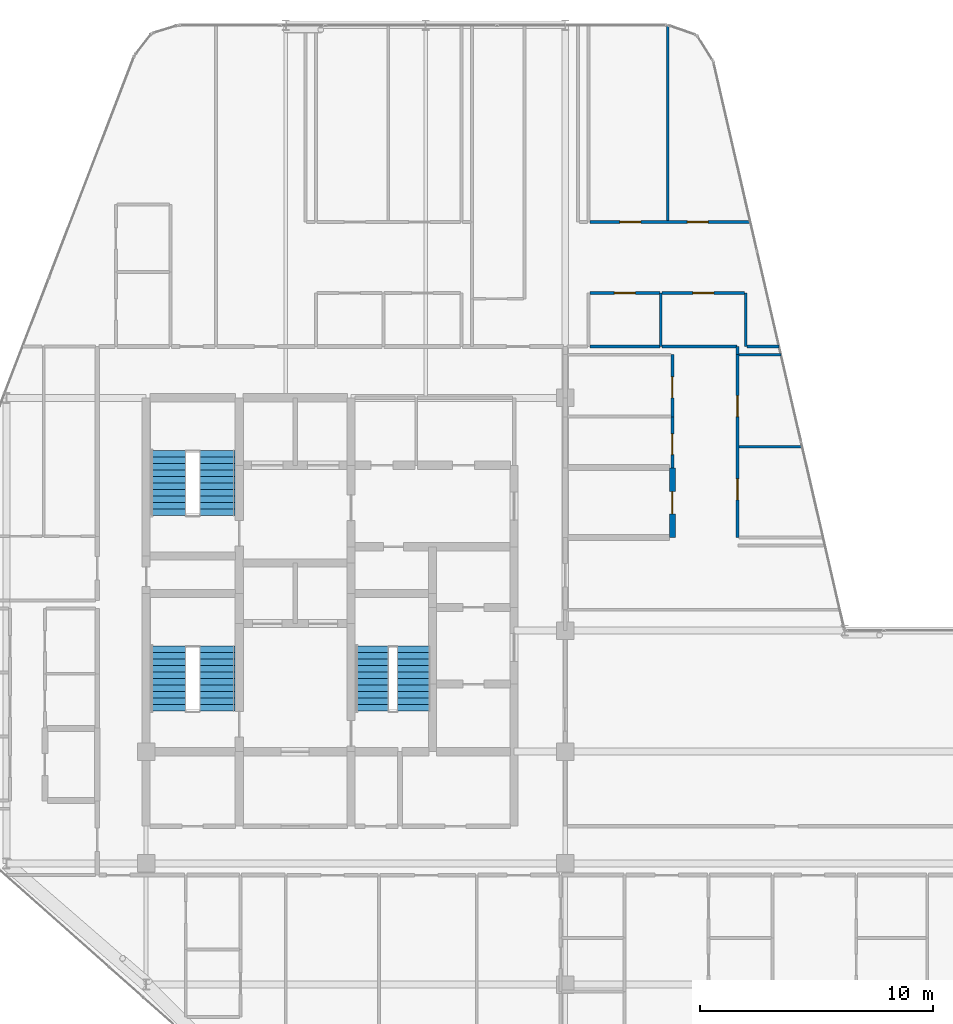
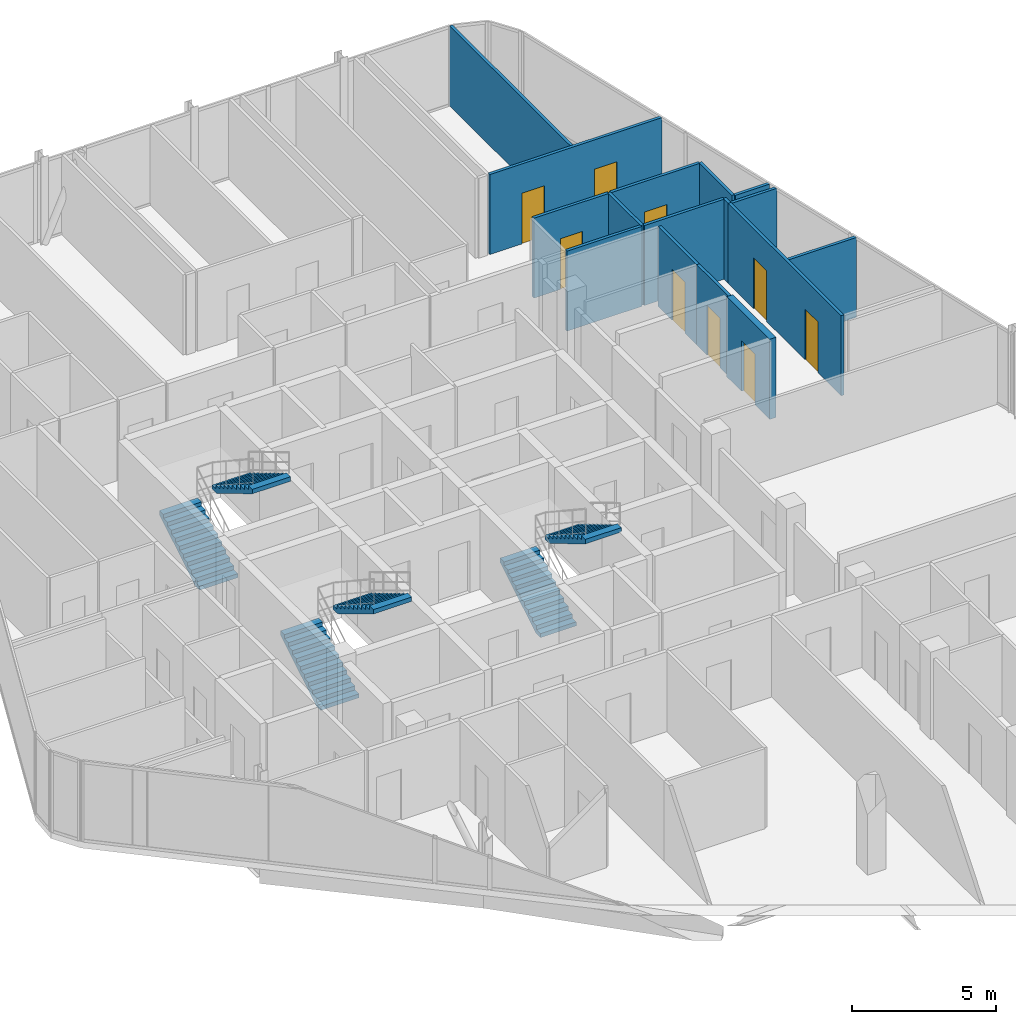
# One storey, part 28 of 29: 16 walls, 9 doors, 6 stair flights, 9 openings, 3 elements without a shape of their own.
"""IFC4 building model written with IfcOpenShell, lengths in metres."""

from ifc_helpers import new_model, si_unit, direction, frame, frame_2d, origin, place, context, subcontext, project, spatial, polyline, rectangle, outline, extrude, material, layer, layer_set, type_object, element, fill, aggregate, save


model = new_model("IFC4")

# Units and contexts
model_context = context("Model", 3, precision=1e-05, world=origin(), true_north=direction((0.0, 1.0)))
body_context = subcontext(model_context, "Body", "Model", "MODEL_VIEW")
ifc_project = project(units=[si_unit("LENGTHUNIT", "METRE"), si_unit("AREAUNIT", "SQUARE_METRE"), si_unit("VOLUMEUNIT", "CUBIC_METRE"), si_unit("PLANEANGLEUNIT", "RADIAN"), si_unit("MASSUNIT", "GRAM", prefix="KILO")], contexts=[model_context])

# Site, building, storey
site_placement = place(None, origin())
site = spatial("IfcSite", under=ifc_project, at=site_placement, CompositionType="ELEMENT")
building_placement = place(site_placement, origin())
building = spatial("IfcBuilding", under=site, at=building_placement, Name="Keshet Zoharim Tower", CompositionType="ELEMENT")
storey_placement = place(building_placement, frame((0.0, 0.0, 222.800048828125)))
storey = spatial("IfcBuildingStorey", under=building, at=storey_placement, Name="L55", CompositionType="ELEMENT", Elevation=222.800048828125)

# Wall, opening, door
ifc_material_1 = material(Name="Concrete C50/60", Category="concrete")
ifc_layer_1 = layer(ifc_material_1, 0.25)
ifc_layer_set_1 = layer_set([ifc_layer_1], Name="Concrete C50/60")
wall_type_1 = type_object("IfcWallType", Name="WL-MAMAD-250", PredefinedType="STANDARD", material=ifc_layer_set_1)
wall_1_placement = place(storey_placement, frame((37.60009765625, 31.89990234375, 0.0), z_axis=(0.0, 0.0, 1.0), x_axis=(0.0, 1.0, 0.0)))
wall_1 = element("IfcWall", 1, at=wall_1_placement, inside=storey, type_object=wall_type_1, Name="L55 Interior Wall 083", PredefinedType="STANDARD", context=body_context, shape_type="SweptSolid", body=[
    extrude(rectangle(XDim=2.983154296875, YDim=0.25, at=frame_2d((1.49169921875, 0.0))), origin(), (0.0, 0.0, 1.0), 3.389892578125),
])
opening_1_placement = place(wall_1_placement, frame((1.01708984375, 0.0, 0.0)))
opening_1 = element("IfcOpeningElement", 2, at=opening_1_placement, cuts=wall_1, Name="Opening D-F695", PredefinedType="OPENING", context=body_context, shape_type="SweptSolid", body=[
    extrude(rectangle(XDim=0.949951171875, YDim=2.14990234375, at=frame_2d((0.47509765625, 1.074951171875))), frame((0.0, 0.135009765625, 0.0), z_axis=(0.0, -1.0, 0.0), x_axis=(1.0, 0.0, 0.0)), (0.0, 0.0, 1.0), 0.27001953125),
])
ifc_material_2 = material(Name="Hardwood Timber", Category="wood")
door_type_1 = type_object("IfcDoorType", Name="DR-FD60-095", OperationType="NOTDEFINED", PredefinedType="DOOR", material=ifc_material_2)
door_1_placement = place(opening_1_placement, origin())
door_1 = element("IfcDoor", 3, at=door_1_placement, inside=storey, type_object=door_type_1, Name="Apartment 5511 Study and Shelter Room Door", OperationType="SINGLE_SWING_LEFT", OverallHeight=2.14990234375, OverallWidth=0.949951171875, PredefinedType="DOOR", context=body_context, shape_type="SweptSolid", body=[
    extrude(rectangle(XDim=0.949951171875, YDim=2.14990234375, at=frame_2d((0.47509765625, 1.074951171875))), frame((0.0, 0.02490234375, 0.0), z_axis=(0.0, -1.0, 0.0), x_axis=(1.0, 0.0, 0.0)), (0.0, 0.0, 1.0), 0.050048828125),
])
fill(opening_1, door_1)

# Wall
ifc_material_3 = material(Name="Gypsum Plasterboard", Category="gypsum")
ifc_layer_2 = layer(ifc_material_3, 0.1201171875)
ifc_layer_set_2 = layer_set([ifc_layer_2], Name="Gypsum Plasterboard")
wall_type_2 = type_object("IfcWallType", Name="WL-PART-120", PredefinedType="PARTITIONING", material=ifc_layer_set_2)
wall_2_placement = place(storey_placement, frame((37.39990234375, 45.449951171875, 0.0), z_axis=(0.0, 0.0, 1.0), x_axis=(0.0, 1.0, 0.0)))
element("IfcWall", 4, at=wall_2_placement, inside=storey, type_object=wall_type_2, Name="L55 Interior Wall 082", PredefinedType="PARTITIONING", context=body_context, shape_type="SweptSolid", body=[
    extrude(rectangle(XDim=8.43994140625, YDim=0.1201171875, at=frame_2d((4.219970703125, 0.0))), origin(), (0.0, 0.0, 1.0), 3.389892578125),
])

# Wall, opening, door
wall_3_placement = place(storey_placement, frame((37.60009765625, 37.0810546875, 0.0), z_axis=(0.0, 0.0, 1.0), x_axis=(0.0, 1.0, 0.0)))
wall_3 = element("IfcWall", 5, at=wall_3_placement, inside=storey, type_object=wall_type_2, Name="L55 Interior Wall 085", PredefinedType="PARTITIONING", context=body_context, shape_type="SweptSolid", body=[
    extrude(rectangle(XDim=2.6689453125, YDim=0.1201171875, at=frame_2d((1.33447265625, 0.0))), origin(), (0.0, 0.0, 1.0), 3.389892578125),
])
opening_2_placement = place(wall_3_placement, frame((0.81396484375, 0.0, 0.0)))
opening_2 = element("IfcOpeningElement", 6, at=opening_2_placement, cuts=wall_3, Name="Opening D-IN90", PredefinedType="OPENING", context=body_context, shape_type="SweptSolid", body=[
    extrude(rectangle(XDim=0.89990234375, YDim=2.14990234375, at=frame_2d((0.449951171875, 1.074951171875))), frame((0.0, 0.070068359375, 0.0), z_axis=(0.0, -1.0, 0.0), x_axis=(1.0, 0.0, 0.0)), (0.0, 0.0, 1.0), 0.14013671875),
])
door_type_2 = type_object("IfcDoorType", Name="DR-INT-090", OperationType="NOTDEFINED", PredefinedType="DOOR", material=ifc_material_2)
door_2_placement = place(opening_2_placement, origin())
door_2 = element("IfcDoor", 7, at=door_2_placement, inside=storey, type_object=door_type_2, Name="Apartment 5511 Kitchen Door", OperationType="SINGLE_SWING_LEFT", OverallHeight=2.14990234375, OverallWidth=0.89990234375, PredefinedType="DOOR", context=body_context, shape_type="SweptSolid", body=[
    extrude(rectangle(XDim=0.89990234375, YDim=2.14990234375, at=frame_2d((0.449951171875, 1.074951171875))), frame((0.0, 0.02490234375, 0.0), z_axis=(0.0, -1.0, 0.0), x_axis=(1.0, 0.0, 0.0)), (0.0, 0.0, 1.0), 0.050048828125),
])
fill(opening_2, door_2)

# Wall, openings, doors
wall_4_placement = place(storey_placement, frame((40.39990234375, 31.89990234375, 0.0), z_axis=(0.0, 0.0, 1.0), x_axis=(0.0, 1.0, 0.0)))
wall_4 = element("IfcWall", 8, at=wall_4_placement, inside=storey, type_object=wall_type_2, Name="L55 Interior Wall 089", PredefinedType="PARTITIONING", context=body_context, shape_type="SweptSolid", body=[
    extrude(rectangle(XDim=7.85009765625, YDim=0.1201171875, at=frame_2d((3.925048828125, 0.0))), origin(), (0.0, 0.0, 1.0), 3.389892578125),
])
opening_3_placement = place(wall_4_placement, frame((1.614990234375, 0.0, 0.0)))
opening_3 = element("IfcOpeningElement", 9, at=opening_3_placement, cuts=wall_4, Name="Opening D-IN90", PredefinedType="OPENING", context=body_context, shape_type="SweptSolid", body=[
    extrude(rectangle(XDim=0.89990234375, YDim=2.14990234375, at=frame_2d((0.449951171875, 1.074951171875))), frame((0.0, 0.070068359375, 0.0), z_axis=(0.0, -1.0, 0.0), x_axis=(1.0, 0.0, 0.0)), (0.0, 0.0, 1.0), 0.14013671875),
])
opening_4_placement = place(wall_4_placement, frame((5.18994140625, 0.0, 0.0)))
opening_4 = element("IfcOpeningElement", 10, at=opening_4_placement, cuts=wall_4, Name="Opening D-IN90", PredefinedType="OPENING", context=body_context, shape_type="SweptSolid", body=[
    extrude(rectangle(XDim=0.89990234375, YDim=2.14990234375, at=frame_2d((0.449951171875, 1.074951171875))), frame((0.0, 0.070068359375, 0.0), z_axis=(0.0, -1.0, 0.0), x_axis=(1.0, 0.0, 0.0)), (0.0, 0.0, 1.0), 0.14013671875),
])
door_3_placement = place(opening_3_placement, origin())
door_3 = element("IfcDoor", 11, at=door_3_placement, inside=storey, type_object=door_type_2, Name="Apartment 5511 Bedroom 1 Door", OperationType="SINGLE_SWING_RIGHT", OverallHeight=2.14990234375, OverallWidth=0.89990234375, PredefinedType="DOOR", context=body_context, shape_type="SweptSolid", body=[
    extrude(rectangle(XDim=0.89990234375, YDim=2.14990234375, at=frame_2d((0.449951171875, 1.074951171875))), frame((0.0, 0.02490234375, 0.0), z_axis=(0.0, -1.0, 0.0), x_axis=(1.0, 0.0, 0.0)), (0.0, 0.0, 1.0), 0.050048828125),
])
fill(opening_3, door_3)
door_4_placement = place(opening_4_placement, origin())
door_4 = element("IfcDoor", 12, at=door_4_placement, inside=storey, type_object=door_type_2, Name="Apartment 5511 Bedroom 2 Door", OperationType="SINGLE_SWING_LEFT", OverallHeight=2.14990234375, OverallWidth=0.89990234375, PredefinedType="DOOR", context=body_context, shape_type="SweptSolid", body=[
    extrude(rectangle(XDim=0.89990234375, YDim=2.14990234375, at=frame_2d((0.449951171875, 1.074951171875))), frame((0.0, 0.02490234375, 0.0), z_axis=(0.0, -1.0, 0.0), x_axis=(1.0, 0.0, 0.0)), (0.0, 0.0, 1.0), 0.050048828125),
])
fill(opening_4, door_4)

# Walls
wall_5_placement = place(storey_placement, frame((40.39990234375, 39.75, 0.0), z_axis=(0.0, 0.0, 1.0), x_axis=(0.0, 1.0, 0.0)))
element("IfcWall", 13, at=wall_5_placement, inside=storey, type_object=wall_type_2, Name="L55 Interior Wall 090", PredefinedType="PARTITIONING", context=body_context, shape_type="SweptSolid", body=[
    extrude(rectangle(XDim=0.35009765625, YDim=0.1201171875, at=frame_2d((0.175048828125, 0.0))), origin(), (0.0, 0.0, 1.0), 3.389892578125),
])
wall_6_placement = place(storey_placement, frame((40.465087890625, 35.800048828125, 0.0), z_axis=(0.0, 0.0, 1.0), x_axis=(1.0, 0.0, 0.0)))
element("IfcWall", 14, at=wall_6_placement, inside=storey, type_object=wall_type_2, Name="L55 Interior Wall 173", PredefinedType="PARTITIONING", context=body_context, shape_type="SweptSolid", body=[
    extrude(rectangle(XDim=2.701904296875, YDim=0.1201171875, at=frame_2d((1.35107421875, 0.0))), origin(), (0.0, 0.0, 1.0), 3.389892578125),
])
wall_7_placement = place(storey_placement, frame((40.465087890625, 39.75, 0.0), z_axis=(0.0, 0.0, 1.0), x_axis=(1.0, 0.0, 0.0)))
element("IfcWall", 15, at=wall_7_placement, inside=storey, type_object=wall_type_2, Name="L55 Interior Wall 180", PredefinedType="PARTITIONING", context=body_context, shape_type="SweptSolid", body=[
    extrude(rectangle(XDim=1.791015625, YDim=0.1201171875, at=frame_2d((0.8955078125, 0.0))), origin(), (0.0, 0.0, 1.0), 3.389892578125),
])
wall_8_placement = place(storey_placement, frame((34.054931640625, 40.10009765625, 0.0), z_axis=(0.0, 0.0, 1.0), x_axis=(1.0, 0.0, 0.0)))
element("IfcWall", 16, at=wall_8_placement, inside=storey, type_object=wall_type_2, Name="L55 Interior Wall 191", PredefinedType="PARTITIONING", context=body_context, shape_type="SweptSolid", body=[
    extrude(rectangle(XDim=3.010986328125, YDim=0.1201171875, at=frame_2d((1.50537109375, 0.0))), origin(), (0.0, 0.0, 1.0), 3.389892578125),
])
wall_9_placement = place(storey_placement, frame((40.797119140625, 40.10009765625, 0.0), z_axis=(0.0, 0.0, 1.0), x_axis=(1.0, 0.0, 0.0)))
element("IfcWall", 17, at=wall_9_placement, inside=storey, type_object=wall_type_2, Name="L55 Interior Wall 193", PredefinedType="PARTITIONING", context=body_context, shape_type="SweptSolid", body=[
    extrude(rectangle(XDim=1.3779296875, YDim=0.1201171875, at=frame_2d((0.68896484375, 0.0))), origin(), (0.0, 0.0, 1.0), 3.389892578125),
])

# Wall, opening, door
wall_10_placement = place(storey_placement, frame((34.054931640625, 42.39990234375, 0.0), z_axis=(0.0, 0.0, 1.0), x_axis=(1.0, 0.0, 0.0)))
wall_10 = element("IfcWall", 18, at=wall_10_placement, inside=storey, type_object=wall_type_2, Name="L55 Interior Wall 197", PredefinedType="PARTITIONING", context=body_context, shape_type="SweptSolid", body=[
    extrude(rectangle(XDim=3.010986328125, YDim=0.1201171875, at=frame_2d((1.50537109375, 0.0))), origin(), (0.0, 0.0, 1.0), 3.389892578125),
])
opening_5_placement = place(wall_10_placement, frame((1.054931640625, 0.0, 0.0)))
opening_5 = element("IfcOpeningElement", 19, at=opening_5_placement, cuts=wall_10, Name="Opening D-IN90", PredefinedType="OPENING", context=body_context, shape_type="SweptSolid", body=[
    extrude(rectangle(XDim=0.89990234375, YDim=2.14990234375, at=frame_2d((0.449951171875, 1.074951171875))), frame((0.0, 0.070068359375, 0.0), z_axis=(0.0, -1.0, 0.0), x_axis=(1.0, 0.0, 0.0)), (0.0, 0.0, 1.0), 0.14013671875),
])
door_5_placement = place(opening_5_placement, origin())
door_5 = element("IfcDoor", 20, at=door_5_placement, inside=storey, type_object=door_type_2, Name="Apartment 5508 Kitchen Door", OperationType="SINGLE_SWING_RIGHT", OverallHeight=2.14990234375, OverallWidth=0.89990234375, PredefinedType="DOOR", context=body_context, shape_type="SweptSolid", body=[
    extrude(rectangle(XDim=0.89990234375, YDim=2.14990234375, at=frame_2d((0.449951171875, 1.074951171875))), frame((0.0, 0.02490234375, 0.0), z_axis=(0.0, -1.0, 0.0), x_axis=(1.0, 0.0, 0.0)), (0.0, 0.0, 1.0), 0.050048828125),
])
fill(opening_5, door_5)

# Wall, openings, doors
wall_11_placement = place(storey_placement, frame((34.054931640625, 45.449951171875, 0.0), z_axis=(0.0, 0.0, 1.0), x_axis=(1.0, 0.0, 0.0)))
wall_11 = element("IfcWall", 21, at=wall_11_placement, inside=storey, type_object=wall_type_2, Name="L55 Interior Wall 204", PredefinedType="PARTITIONING", context=body_context, shape_type="SweptSolid", body=[
    extrude(rectangle(XDim=6.885009765625, YDim=0.1201171875, at=frame_2d((3.4423828125, 0.0))), origin(), (0.0, 0.0, 1.0), 3.389892578125),
])
opening_6_placement = place(wall_11_placement, frame((1.2919921875, 0.0, 0.0)))
opening_6 = element("IfcOpeningElement", 22, at=opening_6_placement, cuts=wall_11, Name="Opening D-IN90", PredefinedType="OPENING", context=body_context, shape_type="SweptSolid", body=[
    extrude(rectangle(XDim=0.89990234375, YDim=2.14990234375, at=frame_2d((0.449951171875, 1.074951171875))), frame((0.0, 0.070068359375, 0.0), z_axis=(0.0, -1.0, 0.0), x_axis=(1.0, 0.0, 0.0)), (0.0, 0.0, 1.0), 0.14013671875),
])
opening_7_placement = place(wall_11_placement, frame((4.18505859375, 0.0, 0.0)))
opening_7 = element("IfcOpeningElement", 23, at=opening_7_placement, cuts=wall_11, Name="Opening D-IN90", PredefinedType="OPENING", context=body_context, shape_type="SweptSolid", body=[
    extrude(rectangle(XDim=0.89990234375, YDim=2.14990234375, at=frame_2d((0.449951171875, 1.074951171875))), frame((0.0, 0.070068359375, 0.0), z_axis=(0.0, -1.0, 0.0), x_axis=(1.0, 0.0, 0.0)), (0.0, 0.0, 1.0), 0.14013671875),
])
door_6_placement = place(opening_6_placement, origin())
door_6 = element("IfcDoor", 24, at=door_6_placement, inside=storey, type_object=door_type_2, Name="Apartment 5508 Bedroom 1 Door", OperationType="SINGLE_SWING_RIGHT", OverallHeight=2.14990234375, OverallWidth=0.89990234375, PredefinedType="DOOR", context=body_context, shape_type="SweptSolid", body=[
    extrude(rectangle(XDim=0.89990234375, YDim=2.14990234375, at=frame_2d((0.449951171875, 1.074951171875))), frame((0.0, 0.02490234375, 0.0), z_axis=(0.0, -1.0, 0.0), x_axis=(1.0, 0.0, 0.0)), (0.0, 0.0, 1.0), 0.050048828125),
])
fill(opening_6, door_6)
door_7_placement = place(opening_7_placement, origin())
door_7 = element("IfcDoor", 25, at=door_7_placement, inside=storey, type_object=door_type_2, Name="Apartment 5508 Bedroom 2 Door", OperationType="SINGLE_SWING_LEFT", OverallHeight=2.14990234375, OverallWidth=0.89990234375, PredefinedType="DOOR", context=body_context, shape_type="SweptSolid", body=[
    extrude(rectangle(XDim=0.89990234375, YDim=2.14990234375, at=frame_2d((0.449951171875, 1.074951171875))), frame((0.0, 0.02490234375, 0.0), z_axis=(0.0, -1.0, 0.0), x_axis=(1.0, 0.0, 0.0)), (0.0, 0.0, 1.0), 0.050048828125),
])
fill(opening_7, door_7)

# Wall
ifc_layer_3 = layer(ifc_material_3, 0.1201171875)
ifc_layer_set_3 = layer_set([ifc_layer_3], Name="Gypsum Plasterboard")
wall_type_3 = type_object("IfcWallType", Name="WL-WET-120", PredefinedType="PARTITIONING", material=ifc_layer_set_3)
wall_12_placement = place(storey_placement, frame((37.10009765625, 40.10009765625, 0.0), z_axis=(0.0, 0.0, 1.0), x_axis=(0.0, 1.0, 0.0)))
element("IfcWall", 26, at=wall_12_placement, inside=storey, type_object=wall_type_3, Name="L55 Interior Wall 081", PredefinedType="PARTITIONING", context=body_context, shape_type="SweptSolid", body=[
    extrude(rectangle(XDim=2.2998046875, YDim=0.1201171875, at=frame_2d((1.14990234375, 0.0))), origin(), (0.0, 0.0, 1.0), 3.389892578125),
])

# Wall, opening, door
wall_13_placement = place(storey_placement, frame((37.60009765625, 34.883056640625, 0.0), z_axis=(0.0, 0.0, 1.0), x_axis=(0.0, 1.0, 0.0)))
wall_13 = element("IfcWall", 27, at=wall_13_placement, inside=storey, type_object=wall_type_3, Name="L55 Interior Wall 084", PredefinedType="PARTITIONING", context=body_context, shape_type="SweptSolid", body=[
    extrude(rectangle(XDim=2.197998046875, YDim=0.1201171875, at=frame_2d((1.09912109375, 0.0))), origin(), (0.0, 0.0, 1.0), 3.389892578125),
])
opening_8_placement = place(wall_13_placement, frame((0.572021484375, 0.0, 0.0)))
opening_8 = element("IfcOpeningElement", 28, at=opening_8_placement, cuts=wall_13, Name="Opening D-WT90", PredefinedType="OPENING", context=body_context, shape_type="SweptSolid", body=[
    extrude(rectangle(XDim=0.89990234375, YDim=2.10009765625, at=frame_2d((0.449951171875, 1.050048828125))), frame((0.0, 0.070068359375, 0.0), z_axis=(0.0, -1.0, 0.0), x_axis=(1.0, 0.0, 0.0)), (0.0, 0.0, 1.0), 0.14013671875),
])
door_type_3 = type_object("IfcDoorType", Name="DR-WET-090", OperationType="NOTDEFINED", PredefinedType="DOOR", material=ifc_material_2)
door_8_placement = place(opening_8_placement, origin())
door_8 = element("IfcDoor", 29, at=door_8_placement, inside=storey, type_object=door_type_3, Name="Apartment 5511 Bathroom Door", OperationType="SINGLE_SWING_RIGHT", OverallHeight=2.10009765625, OverallWidth=0.89990234375, PredefinedType="DOOR", context=body_context, shape_type="SweptSolid", body=[
    extrude(rectangle(XDim=0.89990234375, YDim=2.10009765625, at=frame_2d((0.449951171875, 1.050048828125))), frame((0.0, 0.02490234375, 0.0), z_axis=(0.0, -1.0, 0.0), x_axis=(1.0, 0.0, 0.0)), (0.0, 0.0, 1.0), 0.050048828125),
])
fill(opening_8, door_8)

# Walls
wall_14_placement = place(storey_placement, frame((40.75, 40.10009765625, 0.0), z_axis=(0.0, 0.0, 1.0), x_axis=(0.0, 1.0, 0.0)))
element("IfcWall", 30, at=wall_14_placement, inside=storey, type_object=wall_type_3, Name="L55 Interior Wall 091", PredefinedType="PARTITIONING", context=body_context, shape_type="SweptSolid", body=[
    extrude(rectangle(XDim=2.2998046875, YDim=0.1201171875, at=frame_2d((1.14990234375, 0.0))), origin(), (0.0, 0.0, 1.0), 3.389892578125),
])
wall_15_placement = place(storey_placement, frame((37.156005859375, 40.10009765625, 0.0), z_axis=(0.0, 0.0, 1.0), x_axis=(1.0, 0.0, 0.0)))
element("IfcWall", 31, at=wall_15_placement, inside=storey, type_object=wall_type_3, Name="L55 Interior Wall 192", PredefinedType="PARTITIONING", context=body_context, shape_type="SweptSolid", body=[
    extrude(rectangle(XDim=3.218994140625, YDim=0.1201171875, at=frame_2d((1.609375, 0.0))), origin(), (0.0, 0.0, 1.0), 3.389892578125),
])

# Wall, opening, door
wall_16_placement = place(storey_placement, frame((37.156005859375, 42.39990234375, 0.0), z_axis=(0.0, 0.0, 1.0), x_axis=(1.0, 0.0, 0.0)))
wall_16 = element("IfcWall", 32, at=wall_16_placement, inside=storey, type_object=wall_type_3, Name="L55 Interior Wall 198", PredefinedType="PARTITIONING", context=body_context, shape_type="SweptSolid", body=[
    extrude(rectangle(XDim=3.551025390625, YDim=0.1201171875, at=frame_2d((1.775390625, 0.0))), origin(), (0.0, 0.0, 1.0), 3.389892578125),
])
opening_9_placement = place(wall_16_placement, frame((1.324951171875, 0.0, 0.0)))
opening_9 = element("IfcOpeningElement", 33, at=opening_9_placement, cuts=wall_16, Name="Opening D-WT90", PredefinedType="OPENING", context=body_context, shape_type="SweptSolid", body=[
    extrude(rectangle(XDim=0.89990234375, YDim=2.10009765625, at=frame_2d((0.449951171875, 1.050048828125))), frame((0.0, 0.070068359375, 0.0), z_axis=(0.0, -1.0, 0.0), x_axis=(1.0, 0.0, 0.0)), (0.0, 0.0, 1.0), 0.14013671875),
])
door_9_placement = place(opening_9_placement, origin())
door_9 = element("IfcDoor", 34, at=door_9_placement, inside=storey, type_object=door_type_3, Name="Apartment 5508 Bathroom Door", OperationType="SINGLE_SWING_LEFT", OverallHeight=2.10009765625, OverallWidth=0.89990234375, PredefinedType="DOOR", context=body_context, shape_type="SweptSolid", body=[
    extrude(rectangle(XDim=0.89990234375, YDim=2.10009765625, at=frame_2d((0.449951171875, 1.050048828125))), frame((0.0, 0.02490234375, 0.0), z_axis=(0.0, -1.0, 0.0), x_axis=(1.0, 0.0, 0.0)), (0.0, 0.0, 1.0), 0.050048828125),
])
fill(opening_9, door_9)

# Stair, stair flights
stair_type = type_object("IfcStairType", Name="STR-EXIT-135", PredefinedType="HALF_TURN_STAIR", material=ifc_material_1)
stair_1_placement = place(storey_placement, origin())
stair_1 = element("IfcStair", 35, at=stair_1_placement, inside=storey, type_object=stair_type, Name="L55 Enclosed Exit Stair ST-01", PredefinedType="HALF_TURN_STAIR")
stair_flight_type_1 = type_object("IfcStairFlightType", Name="FLT-PRE-135", PredefinedType="STRAIGHT", material=ifc_material_1)
stair_flight_1_placement = place(storey_placement, frame((15.945068359375, 24.43994140625, 0.0), z_axis=(0.0, 0.0, 1.0), x_axis=(0.0, 1.0, 0.0)))
stair_flight_1 = element("IfcStairFlight", 36, at=stair_flight_1_placement, type_object=stair_flight_type_1, Name="ST-01 flight 1", NumberOfRisers=11, NumberOfTreads=10, PredefinedType="STRAIGHT", RiserHeight=0.168182, TreadLength=0.28, context=body_context, shape_type="SweptSolid", body=[
    extrude(outline(polyline([(0.0, 0.0), (0.0, 0.168212890625), (0.280029296875, 0.168212890625), (0.280029296875, 0.33642578125), (0.56005859375, 0.33642578125), (0.56005859375, 0.504638671875), (0.840087890625, 0.504638671875), (0.840087890625, 0.672607421875), (1.1201171875, 0.672607421875), (1.1201171875, 0.8408203125), (1.39990234375, 0.8408203125), (1.39990234375, 1.009033203125), (1.679931640625, 1.009033203125), (1.679931640625, 1.17724609375), (1.9599609375, 1.17724609375), (1.9599609375, 1.345458984375), (2.239990234375, 1.345458984375), (2.239990234375, 1.513671875), (2.52001953125, 1.513671875), (2.52001953125, 1.681884765625), (2.800048828125, 1.681884765625), (2.800048828125, 1.85009765625), (2.800048828125, 1.495361328125), (0.310546875, 0.0), (0.0, 0.0)])), frame((0.0, 0.76513671875, 0.0), z_axis=(0.0, -1.0, 0.0), x_axis=(1.0, 0.0, 0.0)), (0.0, 0.0, 1.0), 1.530029296875),
])
stair_flight_2_placement = place(storey_placement, frame((18.054931640625, 27.239990234375, 1.849853515625), z_axis=(0.0, 0.0, 1.0), x_axis=(0.0, -1.0, 0.0)))
stair_flight_2 = element("IfcStairFlight", 37, at=stair_flight_2_placement, type_object=stair_flight_type_1, Name="ST-01 flight 2", NumberOfRisers=11, NumberOfTreads=10, PredefinedType="STRAIGHT", RiserHeight=0.168182, TreadLength=0.28, context=body_context, shape_type="SweptSolid", body=[
    extrude(outline(polyline([(0.0, 0.0), (0.0, 0.168212890625), (0.280029296875, 0.168212890625), (0.280029296875, 0.33642578125), (0.56005859375, 0.33642578125), (0.56005859375, 0.504638671875), (0.840087890625, 0.504638671875), (0.840087890625, 0.672607421875), (1.1201171875, 0.672607421875), (1.1201171875, 0.8408203125), (1.39990234375, 0.8408203125), (1.39990234375, 1.009033203125), (1.679931640625, 1.009033203125), (1.679931640625, 1.17724609375), (1.9599609375, 1.17724609375), (1.9599609375, 1.345458984375), (2.239990234375, 1.345458984375), (2.239990234375, 1.513671875), (2.52001953125, 1.513671875), (2.52001953125, 1.681884765625), (2.800048828125, 1.681884765625), (2.800048828125, 1.85009765625), (2.800048828125, 1.495361328125), (0.310546875, 0.0), (0.0, 0.0)])), frame((0.0, 0.76513671875, 0.0), z_axis=(0.0, -1.0, 0.0), x_axis=(1.0, 0.0, 0.0)), (0.0, 0.0, 1.0), 1.530029296875),
])
aggregate(stair_1, [stair_flight_1, stair_flight_2])

stair_2_placement = place(storey_placement, origin())
stair_2 = element("IfcStair", 38, at=stair_2_placement, inside=storey, type_object=stair_type, Name="L55 Enclosed Exit Stair ST-02", PredefinedType="HALF_TURN_STAIR")
stair_flight_3_placement = place(storey_placement, frame((15.945068359375, 32.840087890625, 0.0), z_axis=(0.0, 0.0, 1.0), x_axis=(0.0, 1.0, 0.0)))
stair_flight_3 = element("IfcStairFlight", 39, at=stair_flight_3_placement, type_object=stair_flight_type_1, Name="ST-02 flight 1", NumberOfRisers=11, NumberOfTreads=10, PredefinedType="STRAIGHT", RiserHeight=0.168182, TreadLength=0.28, context=body_context, shape_type="SweptSolid", body=[
    extrude(outline(polyline([(0.0, 0.0), (0.0, 0.168212890625), (0.280029296875, 0.168212890625), (0.280029296875, 0.33642578125), (0.56005859375, 0.33642578125), (0.56005859375, 0.504638671875), (0.840087890625, 0.504638671875), (0.840087890625, 0.672607421875), (1.1201171875, 0.672607421875), (1.1201171875, 0.8408203125), (1.39990234375, 0.8408203125), (1.39990234375, 1.009033203125), (1.679931640625, 1.009033203125), (1.679931640625, 1.17724609375), (1.9599609375, 1.17724609375), (1.9599609375, 1.345458984375), (2.239990234375, 1.345458984375), (2.239990234375, 1.513671875), (2.52001953125, 1.513671875), (2.52001953125, 1.681884765625), (2.800048828125, 1.681884765625), (2.800048828125, 1.85009765625), (2.800048828125, 1.495361328125), (0.310546875, 0.0), (0.0, 0.0)])), frame((0.0, 0.76513671875, 0.0), z_axis=(0.0, -1.0, 0.0), x_axis=(1.0, 0.0, 0.0)), (0.0, 0.0, 1.0), 1.530029296875),
])
stair_flight_4_placement = place(storey_placement, frame((18.054931640625, 35.639892578125, 1.849853515625), z_axis=(0.0, 0.0, 1.0), x_axis=(0.0, -1.0, 0.0)))
stair_flight_4 = element("IfcStairFlight", 40, at=stair_flight_4_placement, type_object=stair_flight_type_1, Name="ST-02 flight 2", NumberOfRisers=11, NumberOfTreads=10, PredefinedType="STRAIGHT", RiserHeight=0.168182, TreadLength=0.28, context=body_context, shape_type="SweptSolid", body=[
    extrude(outline(polyline([(0.0, 0.0), (0.0, 0.168212890625), (0.280029296875, 0.168212890625), (0.280029296875, 0.33642578125), (0.56005859375, 0.33642578125), (0.56005859375, 0.504638671875), (0.840087890625, 0.504638671875), (0.840087890625, 0.672607421875), (1.1201171875, 0.672607421875), (1.1201171875, 0.8408203125), (1.39990234375, 0.8408203125), (1.39990234375, 1.009033203125), (1.679931640625, 1.009033203125), (1.679931640625, 1.17724609375), (1.9599609375, 1.17724609375), (1.9599609375, 1.345458984375), (2.239990234375, 1.345458984375), (2.239990234375, 1.513671875), (2.52001953125, 1.513671875), (2.52001953125, 1.681884765625), (2.800048828125, 1.681884765625), (2.800048828125, 1.85009765625), (2.800048828125, 1.495361328125), (0.310546875, 0.0), (0.0, 0.0)])), frame((0.0, 0.76513671875, 0.0), z_axis=(0.0, -1.0, 0.0), x_axis=(1.0, 0.0, 0.0)), (0.0, 0.0, 1.0), 1.530029296875),
])
aggregate(stair_2, [stair_flight_3, stair_flight_4])

stair_3_placement = place(storey_placement, origin())
stair_3 = element("IfcStair", 41, at=stair_3_placement, inside=storey, type_object=stair_type, Name="L55 Enclosed Exit Stair ST-03", PredefinedType="HALF_TURN_STAIR")
stair_flight_type_2 = type_object("IfcStairFlightType", Name="FLT-PRE-144", PredefinedType="STRAIGHT", material=ifc_material_1)
stair_flight_5_placement = place(storey_placement, frame((24.699951171875, 24.43994140625, 0.0), z_axis=(0.0, 0.0, 1.0), x_axis=(0.0, 1.0, 0.0)))
stair_flight_5 = element("IfcStairFlight", 42, at=stair_flight_5_placement, type_object=stair_flight_type_2, Name="ST-03 flight 1", NumberOfRisers=11, NumberOfTreads=10, PredefinedType="STRAIGHT", RiserHeight=0.168182, TreadLength=0.28, context=body_context, shape_type="SweptSolid", body=[
    extrude(outline(polyline([(0.0, 0.0), (0.0, 0.168212890625), (0.280029296875, 0.168212890625), (0.280029296875, 0.33642578125), (0.56005859375, 0.33642578125), (0.56005859375, 0.504638671875), (0.840087890625, 0.504638671875), (0.840087890625, 0.672607421875), (1.1201171875, 0.672607421875), (1.1201171875, 0.8408203125), (1.39990234375, 0.8408203125), (1.39990234375, 1.009033203125), (1.679931640625, 1.009033203125), (1.679931640625, 1.17724609375), (1.9599609375, 1.17724609375), (1.9599609375, 1.345458984375), (2.239990234375, 1.345458984375), (2.239990234375, 1.513671875), (2.52001953125, 1.513671875), (2.52001953125, 1.681884765625), (2.800048828125, 1.681884765625), (2.800048828125, 1.85009765625), (2.800048828125, 1.495361328125), (0.310546875, 0.0), (0.0, 0.0)])), frame((0.0, 0.719970703125, 0.0), z_axis=(0.0, -1.0, 0.0), x_axis=(1.0, 0.0, 0.0)), (0.0, 0.0, 1.0), 1.43994140625),
])
stair_flight_6_placement = place(storey_placement, frame((26.5, 27.239990234375, 1.849853515625), z_axis=(0.0, 0.0, 1.0), x_axis=(0.0, -1.0, 0.0)))
stair_flight_6 = element("IfcStairFlight", 43, at=stair_flight_6_placement, type_object=stair_flight_type_2, Name="ST-03 flight 2", NumberOfRisers=11, NumberOfTreads=10, PredefinedType="STRAIGHT", RiserHeight=0.168182, TreadLength=0.28, context=body_context, shape_type="SweptSolid", body=[
    extrude(outline(polyline([(0.0, 0.0), (0.0, 0.168212890625), (0.280029296875, 0.168212890625), (0.280029296875, 0.33642578125), (0.56005859375, 0.33642578125), (0.56005859375, 0.504638671875), (0.840087890625, 0.504638671875), (0.840087890625, 0.672607421875), (1.1201171875, 0.672607421875), (1.1201171875, 0.8408203125), (1.39990234375, 0.8408203125), (1.39990234375, 1.009033203125), (1.679931640625, 1.009033203125), (1.679931640625, 1.17724609375), (1.9599609375, 1.17724609375), (1.9599609375, 1.345458984375), (2.239990234375, 1.345458984375), (2.239990234375, 1.513671875), (2.52001953125, 1.513671875), (2.52001953125, 1.681884765625), (2.800048828125, 1.681884765625), (2.800048828125, 1.85009765625), (2.800048828125, 1.495361328125), (0.310546875, 0.0), (0.0, 0.0)])), frame((0.0, 0.719970703125, 0.0), z_axis=(0.0, -1.0, 0.0), x_axis=(1.0, 0.0, 0.0)), (0.0, 0.0, 1.0), 1.43994140625),
])
aggregate(stair_3, [stair_flight_5, stair_flight_6])

save(model, "model.ifc")
